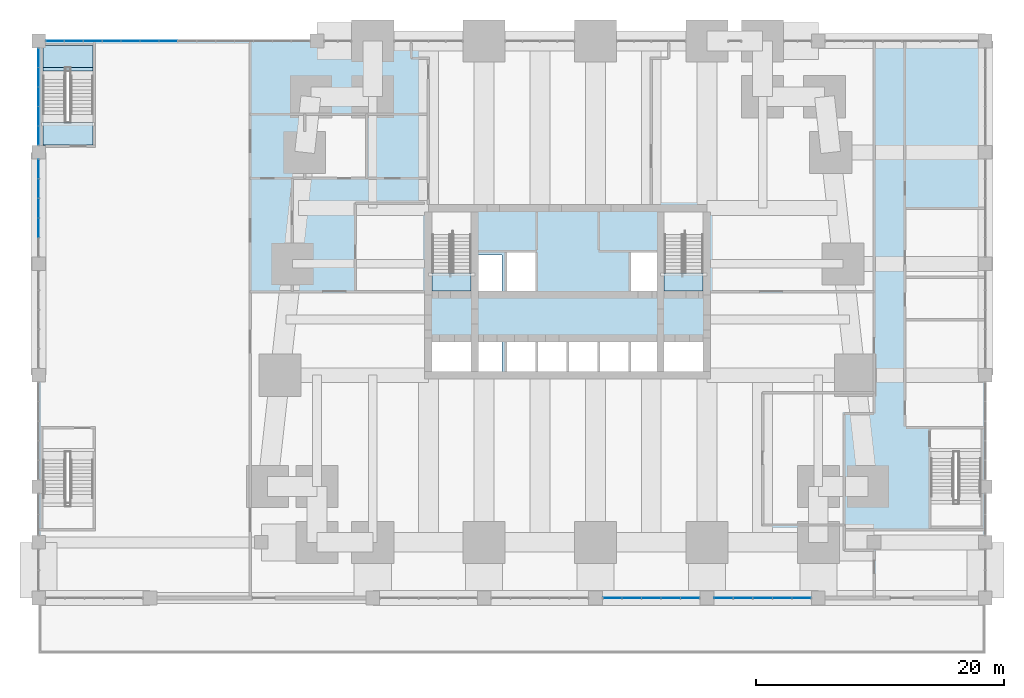
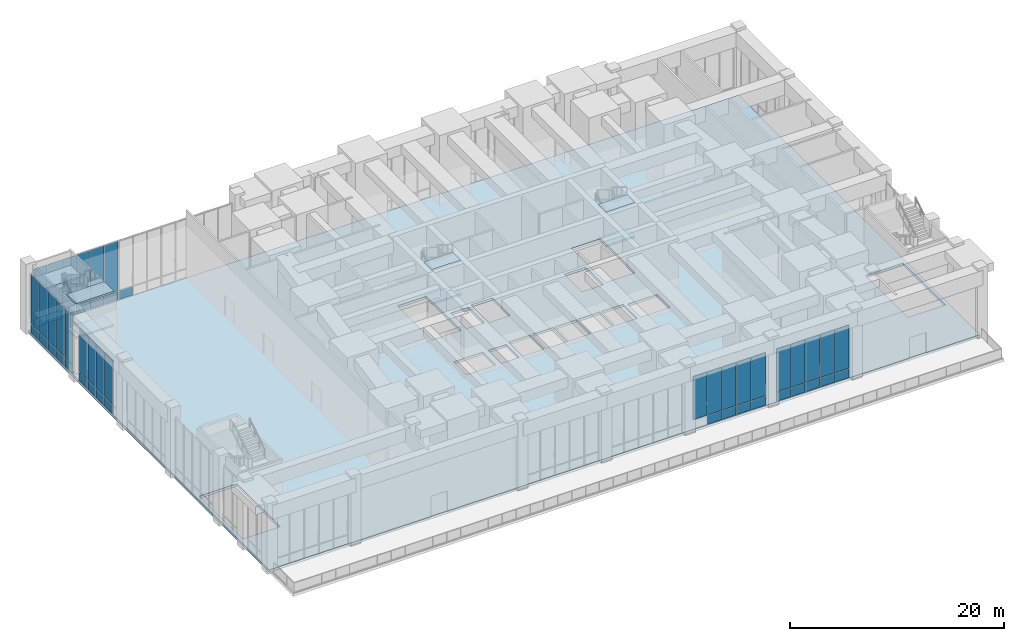
# One storey, part 15 of 26: 50 plates, 9 slabs, 8 elements without a shape of their own.
"""IFC4 building model written with IfcOpenShell, lengths in metres."""

import ifcopenshell
import ifcopenshell.guid

model = None  # the IFC model being written
_history = None  # IfcOwnerHistory: only IFC2X3 demands one
_inside = {}  # id of a spatial element -> (the spatial element, [elements in it])
_under = {}  # id of a project, library or spatial element -> (it, [spatial elements below it])
_declared = {}  # id of a project -> (the project, [libraries it declares])
_typed = {}  # id of a type object -> (the type object, [elements of that type])
_made_of = {}  # id of a material, layer set ... -> (it, [elements and type objects made of it])


def new_model(schema):
    """Start an empty IFC model of exactly this schema.

    Asked for "IFC4X3", IfcOpenShell would pick the latest addendum, in which some entities
    have other attributes; the version numbers below select the first issue.
    IFC2X3 requires an IfcOwnerHistory on every rooted entity: one is made here for all.
    """
    global model, _history
    if schema == "IFC4X3":
        model = ifcopenshell.file(schema_version=(4, 3, 0, 0))
    else:
        model = ifcopenshell.file(schema=schema)
    _inside.clear()
    _under.clear()
    _declared.clear()
    _typed.clear()
    _made_of.clear()
    _history = None
    if model.schema == "IFC2X3":
        org = make("IfcOrganization", Name="unknown")
        user = make(
            "IfcPersonAndOrganization",
            ThePerson=make("IfcPerson", FamilyName="unknown"),
            TheOrganization=org,
        )
        app = make(
            "IfcApplication",
            ApplicationDeveloper=org,
            Version="unknown",
            ApplicationFullName="unknown",
            ApplicationIdentifier="unknown",
        )
        _history = make(
            "IfcOwnerHistory",
            OwningUser=user,
            OwningApplication=app,
            ChangeAction="ADDED",
            CreationDate=0,
        )
    return model


def make(cls, **values):
    """One entity of the class cls with the attributes given. An attribute that is None is left unset."""
    return model.create_entity(
        cls, **{name: value for name, value in values.items() if value is not None}
    )


def rooted(cls, **values):
    """An entity with a GlobalId (a new one), such as an element, a storey or a relation."""
    return make(cls, GlobalId=ifcopenshell.guid.new(), OwnerHistory=_history, **values)


def si_unit(unit_type, name, prefix=None):
    """IfcSIUnit, for example si_unit("LENGTHUNIT", "METRE", prefix="MILLI")."""
    return make("IfcSIUnit", UnitType=unit_type, Prefix=prefix, Name=name)


def assignment(units):
    """IfcUnitAssignment: the units of a project."""
    return None if units is None else make("IfcUnitAssignment", Units=units)


def point(xyz):
    """IfcCartesianPoint."""
    return None if xyz is None else make("IfcCartesianPoint", Coordinates=xyz)


def direction(xyz):
    """IfcDirection."""
    return None if xyz is None else make("IfcDirection", DirectionRatios=xyz)


def frame(location, z_axis=None, x_axis=None):
    """IfcAxis2Placement3D, a coordinate frame: its origin and axes. An axis left out is left unset."""
    return make(
        "IfcAxis2Placement3D",
        Location=point(location),
        Axis=direction(z_axis),
        RefDirection=direction(x_axis),
    )


def frame_2d(location, x_axis=None):
    """IfcAxis2Placement2D, a coordinate frame in the plane: its origin and x axis."""
    return make(
        "IfcAxis2Placement2D", Location=point(location), RefDirection=direction(x_axis)
    )


def origin():
    """The frame at (0, 0, 0) with its axes left unset."""
    return frame((0.0, 0.0, 0.0))


def origin_2d():
    """The frame at (0, 0) in the plane with its x axis left unset."""
    return frame_2d((0.0, 0.0))


def place(relative_to, where):
    """IfcLocalPlacement: puts the frame where relative to a parent placement (None: the world)."""
    return make(
        "IfcLocalPlacement", PlacementRelTo=relative_to, RelativePlacement=where
    )


def context(
    kind, dimensions, precision=None, world=None, true_north=None, identifier=None
):
    """IfcGeometricRepresentationContext, for example the 3D "Model" context."""
    return make(
        "IfcGeometricRepresentationContext",
        ContextIdentifier=identifier,
        ContextType=kind,
        CoordinateSpaceDimension=dimensions,
        Precision=precision,
        WorldCoordinateSystem=world,
        TrueNorth=true_north,
    )


def subcontext(parent, identifier, kind, view, scale=None):
    """IfcGeometricRepresentationSubContext, for example "Body" below "Model"."""
    return make(
        "IfcGeometricRepresentationSubContext",
        ContextIdentifier=identifier,
        ContextType=kind,
        ParentContext=parent,
        TargetScale=scale,
        TargetView=view,
    )


def project(units=None, contexts=None):
    """IfcProject with its units and contexts."""
    return rooted(
        "IfcProject",
        Name="project",
        RepresentationContexts=contexts,
        UnitsInContext=assignment(units),
    )


def spatial(cls, under=None, at=None, **own):
    """A site, building, storey or space (cls), placed at a placement, below another one or the project."""
    s = rooted(cls, ObjectPlacement=at, **own)
    if under is not None:
        _under.setdefault(under.id(), (under, []))[1].append(s)
    return s


def polyline(points):
    """IfcPolyline through the points."""
    return make("IfcPolyline", Points=[point(p) for p in points])


def profile(cls, at=None, kind="AREA", **sizes):
    """A parametric profile (cls). Its sizes go by their IFC names, for example OverallWidth=200.0."""
    return make(cls, ProfileType=kind, Position=at, **sizes)


def rectangle(**sizes):
    """IfcRectangleProfileDef."""
    return profile("IfcRectangleProfileDef", **sizes)


def outline(outer, holes=None, kind="AREA"):
    """IfcArbitraryClosedProfileDef: a profile drawn as a closed curve; with holes, ...WithVoids."""
    if holes is None:
        return make("IfcArbitraryClosedProfileDef", ProfileType=kind, OuterCurve=outer)
    return make(
        "IfcArbitraryProfileDefWithVoids",
        ProfileType=kind,
        OuterCurve=outer,
        InnerCurves=holes,
    )


def extrude(swept, where, along, depth):
    """IfcExtrudedAreaSolid: the profile swept, set in the frame where, extruded along a direction by depth."""
    return make(
        "IfcExtrudedAreaSolid",
        SweptArea=swept,
        Position=where,
        ExtrudedDirection=direction(along),
        Depth=depth,
    )


def shape(context_of_items, identifier, shape_type, items):
    """IfcShapeRepresentation: the items that make up one representation, for example the "Body"."""
    return make(
        "IfcShapeRepresentation",
        ContextOfItems=context_of_items,
        RepresentationIdentifier=identifier,
        RepresentationType=shape_type,
        Items=items,
    )


def material(Name=None, Category=None):
    """IfcMaterial."""
    return make("IfcMaterial", Name=Name, Category=Category)


def layer(
    of_material, thickness, ventilated=None, Name=None, Category=None, Priority=None
):
    """IfcMaterialLayer: one layer of a wall or slab, of a material (None: an air gap)."""
    return make(
        "IfcMaterialLayer",
        Material=of_material,
        LayerThickness=thickness,
        IsVentilated=ventilated,
        Name=Name,
        Category=Category,
        Priority=Priority,
    )


def layer_set(layers, Name=None):
    """IfcMaterialLayerSet."""
    return make("IfcMaterialLayerSet", MaterialLayers=layers, LayerSetName=Name)


def made_of(thing, what):
    """Note that an element or type object is made of a material, layer set ...; save() writes the relation."""
    if what is not None:
        _made_of.setdefault(what.id(), (what, []))[1].append(thing)
    return thing


def type_object(cls, material=None, **own):
    """A type object (cls), such as IfcWallType, which elements share."""
    return made_of(rooted(cls, **own), material)


def element(
    cls,
    number,
    at=None,
    inside=None,
    cuts=None,
    type_object=None,
    material=None,
    context=None,
    identifier="Body",
    shape_type=None,
    held_by="IfcProductDefinitionShape",
    body=None,
    shapes=None,
    **own,
):
    """One element of the class cls, such as IfcWall. Its Tag is "e" and its number.

    at: its placement. inside: the storey or other place that contains it. cuts: it is an
    opening in that element (IfcRelVoidsElement). A single representation is given by context,
    identifier, shape_type and body (its items); several are given by shapes. held_by: the class
    of the entity that holds the representations. save() writes the other relations.
    """
    e = rooted(cls, Tag="e%d" % number, ObjectPlacement=at, **own)
    if body is not None:
        shapes = [shape(context, identifier, shape_type, body)]
    if shapes is not None:
        e.Representation = make(held_by, Representations=shapes)
    if inside is not None:
        _inside.setdefault(inside.id(), (inside, []))[1].append(e)
    if cuts is not None:
        rooted(
            "IfcRelVoidsElement", RelatingBuildingElement=cuts, RelatedOpeningElement=e
        )
    if type_object is not None:
        _typed.setdefault(type_object.id(), (type_object, []))[1].append(e)
    return made_of(e, material)


def aggregate(whole, parts):
    """IfcRelAggregates: a whole, such as a stair, and the parts it consists of."""
    return rooted("IfcRelAggregates", RelatingObject=whole, RelatedObjects=parts)


def save(model, path):
    """Write the relations noted so far, then the file.

    IfcRelAggregates (storeys below a building ...), IfcRelContainedInSpatialStructure (elements
    in a storey), IfcRelDefinesByType, IfcRelAssociatesMaterial and IfcRelDeclares: one each for
    every whole, place, type object, material and project.
    """
    for whole, parts in _under.values():
        aggregate(whole, parts)
    for where, things in _inside.values():
        rooted(
            "IfcRelContainedInSpatialStructure",
            RelatedElements=things,
            RelatingStructure=where,
        )
    for kind, things in _typed.values():
        rooted("IfcRelDefinesByType", RelatedObjects=things, RelatingType=kind)
    for what, things in _made_of.values():
        rooted("IfcRelAssociatesMaterial", RelatedObjects=things, RelatingMaterial=what)
    for by, libraries in _declared.values():
        rooted("IfcRelDeclares", RelatingContext=by, RelatedDefinitions=libraries)
    model.write(path)


model = new_model("IFC4")

# Units and contexts
model_context = context("Model", 3, precision=1e-05, world=origin(), true_north=direction((0.0, 1.0)))
body_context = subcontext(model_context, "Body", "Model", "MODEL_VIEW")
ifc_project = project(units=[si_unit("LENGTHUNIT", "METRE"), si_unit("AREAUNIT", "SQUARE_METRE"), si_unit("VOLUMEUNIT", "CUBIC_METRE"), si_unit("PLANEANGLEUNIT", "RADIAN"), si_unit("MASSUNIT", "GRAM", prefix="KILO")], contexts=[model_context])

# Site, building, storey
site_placement = place(None, origin())
site = spatial("IfcSite", under=ifc_project, at=site_placement, CompositionType="ELEMENT")
building_placement = place(site_placement, origin())
building = spatial("IfcBuilding", under=site, at=building_placement, Name="Kilele Tower Hotel", CompositionType="ELEMENT")
storey_placement = place(building_placement, frame((0.0, 0.0, 11.0)))
storey = spatial("IfcBuildingStorey", under=building, at=storey_placement, Name="L02", CompositionType="ELEMENT", Elevation=11.0)

# Slab
ifc_material_1 = material(Name="Concrete C60/75", Category="concrete")
ifc_layer_1 = layer(ifc_material_1, 0.300048828125)
ifc_layer_set_1 = layer_set([ifc_layer_1], Name="Concrete C60/75")
slab_type_1 = type_object("IfcSlabType", Name="Floor slab 300", PredefinedType="FLOOR", material=ifc_layer_set_1)
slab_1_placement = place(storey_placement, frame((0.0, 0.0, -0.300048828125)))
element("IfcSlab", 1, at=slab_1_placement, inside=storey, type_object=slab_type_1, Name="Floor slab L02", PredefinedType="FLOOR", context=body_context, shape_type="SweptSolid", body=[
    extrude(outline(polyline([(-18.0, -4.5), (-18.0, 40.5), (58.5, 40.5), (58.5, -4.5), (-18.0, -4.5)]), holes=[polyline([(-13.60009765625, 1.10009765625), (-13.60009765625, 9.14990234375), (-17.64990234375, 9.14990234375), (-17.64990234375, 1.10009765625), (-13.60009765625, 1.10009765625)]), polyline([(16.949951171875, 13.800048828125), (16.949951171875, 16.199951171875), (13.800048828125, 16.199951171875), (13.800048828125, 13.800048828125), (16.949951171875, 13.800048828125)]), polyline([(19.449951171875, 13.800048828125), (19.449951171875, 16.199951171875), (17.550048828125, 16.199951171875), (17.550048828125, 13.800048828125), (19.449951171875, 13.800048828125)]), polyline([(22.14990234375, 13.800048828125), (22.14990234375, 16.39990234375), (19.85009765625, 16.39990234375), (19.85009765625, 13.800048828125), (22.14990234375, 13.800048828125)]), polyline([(19.449951171875, 20.300048828125), (19.449951171875, 23.199951171875), (17.550048828125, 23.199951171875), (17.550048828125, 20.300048828125), (19.449951171875, 20.300048828125)]), polyline([(22.14990234375, 20.10009765625), (22.14990234375, 23.39990234375), (19.85009765625, 23.39990234375), (19.85009765625, 20.10009765625), (22.14990234375, 20.10009765625)]), polyline([(16.949951171875, 20.300048828125), (16.949951171875, 26.699951171875), (13.800048828125, 26.699951171875), (13.800048828125, 20.300048828125), (16.949951171875, 20.300048828125)]), polyline([(-13.60009765625, 32.10009765625), (-13.60009765625, 40.14990234375), (-17.64990234375, 40.14990234375), (-17.64990234375, 32.10009765625), (-13.60009765625, 32.10009765625)]), polyline([(58.14990234375, 1.300048828125), (58.14990234375, 9.14990234375), (54.10009765625, 9.14990234375), (54.10009765625, 1.300048828125), (58.14990234375, 1.300048828125)]), polyline([(35.699951171875, 13.800048828125), (35.699951171875, 16.199951171875), (32.550048828125, 16.199951171875), (32.550048828125, 13.800048828125), (35.699951171875, 13.800048828125)]), polyline([(24.64990234375, 13.800048828125), (24.64990234375, 16.39990234375), (22.35009765625, 16.39990234375), (22.35009765625, 13.800048828125), (24.64990234375, 13.800048828125)]), polyline([(27.14990234375, 13.800048828125), (27.14990234375, 16.39990234375), (24.85009765625, 16.39990234375), (24.85009765625, 13.800048828125), (27.14990234375, 13.800048828125)]), polyline([(29.64990234375, 13.800048828125), (29.64990234375, 16.39990234375), (27.35009765625, 16.39990234375), (27.35009765625, 13.800048828125), (29.64990234375, 13.800048828125)]), polyline([(32.14990234375, 13.800048828125), (32.14990234375, 16.39990234375), (29.85009765625, 16.39990234375), (29.85009765625, 13.800048828125), (32.14990234375, 13.800048828125)]), polyline([(32.14990234375, 20.10009765625), (32.14990234375, 23.39990234375), (29.85009765625, 23.39990234375), (29.85009765625, 20.10009765625), (32.14990234375, 20.10009765625)]), polyline([(35.699951171875, 20.300048828125), (35.699951171875, 26.699951171875), (32.550048828125, 26.699951171875), (32.550048828125, 20.300048828125), (35.699951171875, 20.300048828125)])]), origin(), (0.0, 0.0, 1.0), 0.300048828125),
])

# Curtain wall, plates
ifc_material_2 = material(Name="Aluminium curtain wall, clear double glazing", Category="aluminium")
curtain_wall_type_1 = type_object("IfcCurtainWallType", Name="Podium curtain wall CW-1", PredefinedType="NOTDEFINED", material=ifc_material_2)
curtain_wall_1_placement = place(storey_placement, origin())
curtain_wall_1 = element("IfcCurtainWall", 2, at=curtain_wall_1_placement, inside=storey, type_object=curtain_wall_type_1, Name="Podium curtain wall CW-1 L02", PredefinedType="NOTDEFINED")
ifc_material_3 = material(Name="Clear double glazing", Category="glass")
ifc_layer_2 = layer(ifc_material_3, 0.028076171875)
ifc_layer_set_2 = layer_set([ifc_layer_2], Name="Clear double glazing")
plate_type_1 = type_object("IfcPlateType", Name="Glazed panel 28 CW-1", PredefinedType="CURTAIN_PANEL", material=ifc_layer_set_2)
plate_1_placement = place(storey_placement, frame((28.35498046875, -4.5, 1.1298828125), z_axis=(0.0, 0.0, 1.0), x_axis=(1.0, 0.0, 0.0)))
plate_1 = element("IfcPlate", 3, at=plate_1_placement, type_object=plate_type_1, Name="CW-1 panel 1.2", PredefinedType="CURTAIN_PANEL", context=body_context, shape_type="SweptSolid", body=[
    extrude(rectangle(XDim=1.489990234375, YDim=0.028076171875, at=origin_2d()), origin(), (0.0, 0.0, 1.0), 4.909912109375),
])
plate_2_placement = place(storey_placement, frame((29.919921875, -4.5, 0.06005859375), z_axis=(0.0, 0.0, 1.0), x_axis=(1.0, 0.0, 0.0)))
plate_2 = element("IfcPlate", 4, at=plate_2_placement, type_object=plate_type_1, Name="CW-1 panel 2.1", PredefinedType="CURTAIN_PANEL", context=body_context, shape_type="SweptSolid", body=[
    extrude(rectangle(XDim=1.52001953125, YDim=0.028076171875, at=origin_2d()), origin(), (0.0, 0.0, 1.0), 1.010009765625),
])
plate_3_placement = place(storey_placement, frame((29.919921875, -4.5, 1.1298828125), z_axis=(0.0, 0.0, 1.0), x_axis=(1.0, 0.0, 0.0)))
plate_3 = element("IfcPlate", 5, at=plate_3_placement, type_object=plate_type_1, Name="CW-1 panel 2.2", PredefinedType="CURTAIN_PANEL", context=body_context, shape_type="SweptSolid", body=[
    extrude(rectangle(XDim=1.52001953125, YDim=0.028076171875, at=origin_2d()), origin(), (0.0, 0.0, 1.0), 4.909912109375),
])
plate_4_placement = place(storey_placement, frame((31.5, -4.5, 0.06005859375), z_axis=(0.0, 0.0, 1.0), x_axis=(1.0, 0.0, 0.0)))
plate_4 = element("IfcPlate", 6, at=plate_4_placement, type_object=plate_type_1, Name="CW-1 panel 3.1", PredefinedType="CURTAIN_PANEL", context=body_context, shape_type="SweptSolid", body=[
    extrude(rectangle(XDim=1.52001953125, YDim=0.028076171875, at=origin_2d()), origin(), (0.0, 0.0, 1.0), 1.010009765625),
])
plate_5_placement = place(storey_placement, frame((31.5, -4.5, 1.1298828125), z_axis=(0.0, 0.0, 1.0), x_axis=(1.0, 0.0, 0.0)))
plate_5 = element("IfcPlate", 7, at=plate_5_placement, type_object=plate_type_1, Name="CW-1 panel 3.2", PredefinedType="CURTAIN_PANEL", context=body_context, shape_type="SweptSolid", body=[
    extrude(rectangle(XDim=1.52001953125, YDim=0.028076171875, at=origin_2d()), origin(), (0.0, 0.0, 1.0), 4.909912109375),
])
plate_6_placement = place(storey_placement, frame((33.080078125, -4.5, 0.06005859375), z_axis=(0.0, 0.0, 1.0), x_axis=(1.0, 0.0, 0.0)))
plate_6 = element("IfcPlate", 8, at=plate_6_placement, type_object=plate_type_1, Name="CW-1 panel 4.1", PredefinedType="CURTAIN_PANEL", context=body_context, shape_type="SweptSolid", body=[
    extrude(rectangle(XDim=1.52001953125, YDim=0.028076171875, at=origin_2d()), origin(), (0.0, 0.0, 1.0), 1.010009765625),
])
plate_7_placement = place(storey_placement, frame((33.080078125, -4.5, 1.1298828125), z_axis=(0.0, 0.0, 1.0), x_axis=(1.0, 0.0, 0.0)))
plate_7 = element("IfcPlate", 9, at=plate_7_placement, type_object=plate_type_1, Name="CW-1 panel 4.2", PredefinedType="CURTAIN_PANEL", context=body_context, shape_type="SweptSolid", body=[
    extrude(rectangle(XDim=1.52001953125, YDim=0.028076171875, at=origin_2d()), origin(), (0.0, 0.0, 1.0), 4.909912109375),
])
plate_8_placement = place(storey_placement, frame((34.64501953125, -4.5, 0.06005859375), z_axis=(0.0, 0.0, 1.0), x_axis=(1.0, 0.0, 0.0)))
plate_8 = element("IfcPlate", 10, at=plate_8_placement, type_object=plate_type_1, Name="CW-1 panel 5.1", PredefinedType="CURTAIN_PANEL", context=body_context, shape_type="SweptSolid", body=[
    extrude(rectangle(XDim=1.489990234375, YDim=0.028076171875, at=origin_2d()), origin(), (0.0, 0.0, 1.0), 1.010009765625),
])
plate_9_placement = place(storey_placement, frame((34.64501953125, -4.5, 1.1298828125), z_axis=(0.0, 0.0, 1.0), x_axis=(1.0, 0.0, 0.0)))
plate_9 = element("IfcPlate", 11, at=plate_9_placement, type_object=plate_type_1, Name="CW-1 panel 5.2", PredefinedType="CURTAIN_PANEL", context=body_context, shape_type="SweptSolid", body=[
    extrude(rectangle(XDim=1.489990234375, YDim=0.028076171875, at=origin_2d()), origin(), (0.0, 0.0, 1.0), 4.909912109375),
])
aggregate(curtain_wall_1, [plate_1, plate_2, plate_3, plate_4, plate_5, plate_6, plate_7, plate_8, plate_9])

curtain_wall_2_placement = place(storey_placement, origin())
curtain_wall_2 = element("IfcCurtainWall", 12, at=curtain_wall_2_placement, inside=storey, type_object=curtain_wall_type_1, Name="Podium curtain wall CW-1 L02", PredefinedType="NOTDEFINED")
plate_10_placement = place(storey_placement, frame((37.35498046875, -4.5, 0.06005859375), z_axis=(0.0, 0.0, 1.0), x_axis=(1.0, 0.0, 0.0)))
plate_10 = element("IfcPlate", 13, at=plate_10_placement, type_object=plate_type_1, Name="CW-1 panel 1.1", PredefinedType="CURTAIN_PANEL", context=body_context, shape_type="SweptSolid", body=[
    extrude(rectangle(XDim=1.489990234375, YDim=0.028076171875, at=origin_2d()), origin(), (0.0, 0.0, 1.0), 1.010009765625),
])
plate_11_placement = place(storey_placement, frame((37.35498046875, -4.5, 1.1298828125), z_axis=(0.0, 0.0, 1.0), x_axis=(1.0, 0.0, 0.0)))
plate_11 = element("IfcPlate", 14, at=plate_11_placement, type_object=plate_type_1, Name="CW-1 panel 1.2", PredefinedType="CURTAIN_PANEL", context=body_context, shape_type="SweptSolid", body=[
    extrude(rectangle(XDim=1.489990234375, YDim=0.028076171875, at=origin_2d()), origin(), (0.0, 0.0, 1.0), 4.909912109375),
])
plate_12_placement = place(storey_placement, frame((38.919921875, -4.5, 0.06005859375), z_axis=(0.0, 0.0, 1.0), x_axis=(1.0, 0.0, 0.0)))
plate_12 = element("IfcPlate", 15, at=plate_12_placement, type_object=plate_type_1, Name="CW-1 panel 2.1", PredefinedType="CURTAIN_PANEL", context=body_context, shape_type="SweptSolid", body=[
    extrude(rectangle(XDim=1.52001953125, YDim=0.028076171875, at=origin_2d()), origin(), (0.0, 0.0, 1.0), 1.010009765625),
])
plate_13_placement = place(storey_placement, frame((38.919921875, -4.5, 1.1298828125), z_axis=(0.0, 0.0, 1.0), x_axis=(1.0, 0.0, 0.0)))
plate_13 = element("IfcPlate", 16, at=plate_13_placement, type_object=plate_type_1, Name="CW-1 panel 2.2", PredefinedType="CURTAIN_PANEL", context=body_context, shape_type="SweptSolid", body=[
    extrude(rectangle(XDim=1.52001953125, YDim=0.028076171875, at=origin_2d()), origin(), (0.0, 0.0, 1.0), 4.909912109375),
])
plate_14_placement = place(storey_placement, frame((40.5, -4.5, 0.06005859375), z_axis=(0.0, 0.0, 1.0), x_axis=(1.0, 0.0, 0.0)))
plate_14 = element("IfcPlate", 17, at=plate_14_placement, type_object=plate_type_1, Name="CW-1 panel 3.1", PredefinedType="CURTAIN_PANEL", context=body_context, shape_type="SweptSolid", body=[
    extrude(rectangle(XDim=1.52001953125, YDim=0.028076171875, at=origin_2d()), origin(), (0.0, 0.0, 1.0), 1.010009765625),
])
plate_15_placement = place(storey_placement, frame((40.5, -4.5, 1.1298828125), z_axis=(0.0, 0.0, 1.0), x_axis=(1.0, 0.0, 0.0)))
plate_15 = element("IfcPlate", 18, at=plate_15_placement, type_object=plate_type_1, Name="CW-1 panel 3.2", PredefinedType="CURTAIN_PANEL", context=body_context, shape_type="SweptSolid", body=[
    extrude(rectangle(XDim=1.52001953125, YDim=0.028076171875, at=origin_2d()), origin(), (0.0, 0.0, 1.0), 4.909912109375),
])
plate_16_placement = place(storey_placement, frame((42.080078125, -4.5, 0.06005859375), z_axis=(0.0, 0.0, 1.0), x_axis=(1.0, 0.0, 0.0)))
plate_16 = element("IfcPlate", 19, at=plate_16_placement, type_object=plate_type_1, Name="CW-1 panel 4.1", PredefinedType="CURTAIN_PANEL", context=body_context, shape_type="SweptSolid", body=[
    extrude(rectangle(XDim=1.52001953125, YDim=0.028076171875, at=origin_2d()), origin(), (0.0, 0.0, 1.0), 1.010009765625),
])
plate_17_placement = place(storey_placement, frame((42.080078125, -4.5, 1.1298828125), z_axis=(0.0, 0.0, 1.0), x_axis=(1.0, 0.0, 0.0)))
plate_17 = element("IfcPlate", 20, at=plate_17_placement, type_object=plate_type_1, Name="CW-1 panel 4.2", PredefinedType="CURTAIN_PANEL", context=body_context, shape_type="SweptSolid", body=[
    extrude(rectangle(XDim=1.52001953125, YDim=0.028076171875, at=origin_2d()), origin(), (0.0, 0.0, 1.0), 4.909912109375),
])
plate_18_placement = place(storey_placement, frame((43.64501953125, -4.5, 0.06005859375), z_axis=(0.0, 0.0, 1.0), x_axis=(1.0, 0.0, 0.0)))
plate_18 = element("IfcPlate", 21, at=plate_18_placement, type_object=plate_type_1, Name="CW-1 panel 5.1", PredefinedType="CURTAIN_PANEL", context=body_context, shape_type="SweptSolid", body=[
    extrude(rectangle(XDim=1.489990234375, YDim=0.028076171875, at=origin_2d()), origin(), (0.0, 0.0, 1.0), 1.010009765625),
])
plate_19_placement = place(storey_placement, frame((43.64501953125, -4.5, 1.1298828125), z_axis=(0.0, 0.0, 1.0), x_axis=(1.0, 0.0, 0.0)))
plate_19 = element("IfcPlate", 22, at=plate_19_placement, type_object=plate_type_1, Name="CW-1 panel 5.2", PredefinedType="CURTAIN_PANEL", context=body_context, shape_type="SweptSolid", body=[
    extrude(rectangle(XDim=1.489990234375, YDim=0.028076171875, at=origin_2d()), origin(), (0.0, 0.0, 1.0), 4.909912109375),
])
aggregate(curtain_wall_2, [plate_10, plate_11, plate_12, plate_13, plate_14, plate_15, plate_16, plate_17, plate_18, plate_19])

curtain_wall_3_placement = place(storey_placement, origin())
curtain_wall_3 = element("IfcCurtainWall", 23, at=curtain_wall_3_placement, inside=storey, type_object=curtain_wall_type_1, Name="Podium curtain wall CW-1 L02", PredefinedType="NOTDEFINED")
plate_20_placement = place(storey_placement, frame((-7.514404296875, 40.5, 0.06005859375), z_axis=(0.0, 0.0, 1.0), x_axis=(-1.0, 0.0, 0.0)))
plate_20 = element("IfcPlate", 24, at=plate_20_placement, type_object=plate_type_1, Name="CW-1 panel 8.1", PredefinedType="CURTAIN_PANEL", context=body_context, shape_type="SweptSolid", body=[
    extrude(rectangle(XDim=1.468505859375, YDim=0.028076171875, at=origin_2d()), origin(), (0.0, 0.0, 1.0), 1.010009765625),
])
plate_21_placement = place(storey_placement, frame((-9.04296875, 40.5, 0.06005859375), z_axis=(0.0, 0.0, 1.0), x_axis=(-1.0, 0.0, 0.0)))
plate_21 = element("IfcPlate", 25, at=plate_21_placement, type_object=plate_type_1, Name="CW-1 panel 9.1", PredefinedType="CURTAIN_PANEL", context=body_context, shape_type="SweptSolid", body=[
    extrude(rectangle(XDim=1.468505859375, YDim=0.028076171875, at=origin_2d()), origin(), (0.0, 0.0, 1.0), 1.010009765625),
])
plate_22_placement = place(storey_placement, frame((-9.04296875, 40.5, 1.1298828125), z_axis=(0.0, 0.0, 1.0), x_axis=(-1.0, 0.0, 0.0)))
plate_22 = element("IfcPlate", 26, at=plate_22_placement, type_object=plate_type_1, Name="CW-1 panel 9.2", PredefinedType="CURTAIN_PANEL", context=body_context, shape_type="SweptSolid", body=[
    extrude(rectangle(XDim=1.468505859375, YDim=0.028076171875, at=origin_2d()), origin(), (0.0, 0.0, 1.0), 5.610107421875),
])
plate_23_placement = place(storey_placement, frame((-10.571533203125, 40.5, 0.06005859375), z_axis=(0.0, 0.0, 1.0), x_axis=(-1.0, 0.0, 0.0)))
plate_23 = element("IfcPlate", 27, at=plate_23_placement, type_object=plate_type_1, Name="CW-1 panel 10.1", PredefinedType="CURTAIN_PANEL", context=body_context, shape_type="SweptSolid", body=[
    extrude(rectangle(XDim=1.468505859375, YDim=0.028076171875, at=origin_2d()), origin(), (0.0, 0.0, 1.0), 1.010009765625),
])
plate_24_placement = place(storey_placement, frame((-10.571533203125, 40.5, 1.1298828125), z_axis=(0.0, 0.0, 1.0), x_axis=(-1.0, 0.0, 0.0)))
plate_24 = element("IfcPlate", 28, at=plate_24_placement, type_object=plate_type_1, Name="CW-1 panel 10.2", PredefinedType="CURTAIN_PANEL", context=body_context, shape_type="SweptSolid", body=[
    extrude(rectangle(XDim=1.468505859375, YDim=0.028076171875, at=origin_2d()), origin(), (0.0, 0.0, 1.0), 5.610107421875),
])
plate_25_placement = place(storey_placement, frame((-12.10009765625, 40.5, 0.06005859375), z_axis=(0.0, 0.0, 1.0), x_axis=(-1.0, 0.0, 0.0)))
plate_25 = element("IfcPlate", 29, at=plate_25_placement, type_object=plate_type_1, Name="CW-1 panel 11.1", PredefinedType="CURTAIN_PANEL", context=body_context, shape_type="SweptSolid", body=[
    extrude(rectangle(XDim=1.468505859375, YDim=0.028076171875, at=origin_2d()), origin(), (0.0, 0.0, 1.0), 1.010009765625),
])
plate_26_placement = place(storey_placement, frame((-12.10009765625, 40.5, 1.1298828125), z_axis=(0.0, 0.0, 1.0), x_axis=(-1.0, 0.0, 0.0)))
plate_26 = element("IfcPlate", 30, at=plate_26_placement, type_object=plate_type_1, Name="CW-1 panel 11.2", PredefinedType="CURTAIN_PANEL", context=body_context, shape_type="SweptSolid", body=[
    extrude(rectangle(XDim=1.468505859375, YDim=0.028076171875, at=origin_2d()), origin(), (0.0, 0.0, 1.0), 5.610107421875),
])
plate_27_placement = place(storey_placement, frame((-13.628662109375, 40.5, 0.06005859375), z_axis=(0.0, 0.0, 1.0), x_axis=(-1.0, 0.0, 0.0)))
plate_27 = element("IfcPlate", 31, at=plate_27_placement, type_object=plate_type_1, Name="CW-1 panel 12.1", PredefinedType="CURTAIN_PANEL", context=body_context, shape_type="SweptSolid", body=[
    extrude(rectangle(XDim=1.468505859375, YDim=0.028076171875, at=origin_2d()), origin(), (0.0, 0.0, 1.0), 1.010009765625),
])
plate_28_placement = place(storey_placement, frame((-13.628662109375, 40.5, 1.1298828125), z_axis=(0.0, 0.0, 1.0), x_axis=(-1.0, 0.0, 0.0)))
plate_28 = element("IfcPlate", 32, at=plate_28_placement, type_object=plate_type_1, Name="CW-1 panel 12.2", PredefinedType="CURTAIN_PANEL", context=body_context, shape_type="SweptSolid", body=[
    extrude(rectangle(XDim=1.468505859375, YDim=0.028076171875, at=origin_2d()), origin(), (0.0, 0.0, 1.0), 5.610107421875),
])
plate_29_placement = place(storey_placement, frame((-15.1572265625, 40.5, 0.06005859375), z_axis=(0.0, 0.0, 1.0), x_axis=(-1.0, 0.0, 0.0)))
plate_29 = element("IfcPlate", 33, at=plate_29_placement, type_object=plate_type_1, Name="CW-1 panel 13.1", PredefinedType="CURTAIN_PANEL", context=body_context, shape_type="SweptSolid", body=[
    extrude(rectangle(XDim=1.468505859375, YDim=0.028076171875, at=origin_2d()), origin(), (0.0, 0.0, 1.0), 1.010009765625),
])
plate_30_placement = place(storey_placement, frame((-15.1572265625, 40.5, 1.1298828125), z_axis=(0.0, 0.0, 1.0), x_axis=(-1.0, 0.0, 0.0)))
plate_30 = element("IfcPlate", 34, at=plate_30_placement, type_object=plate_type_1, Name="CW-1 panel 13.2", PredefinedType="CURTAIN_PANEL", context=body_context, shape_type="SweptSolid", body=[
    extrude(rectangle(XDim=1.468505859375, YDim=0.028076171875, at=origin_2d()), origin(), (0.0, 0.0, 1.0), 5.610107421875),
])
plate_31_placement = place(storey_placement, frame((-16.670654296875, 40.5, 0.06005859375), z_axis=(0.0, 0.0, 1.0), x_axis=(-1.0, 0.0, 0.0)))
plate_31 = element("IfcPlate", 35, at=plate_31_placement, type_object=plate_type_1, Name="CW-1 panel 14.1", PredefinedType="CURTAIN_PANEL", context=body_context, shape_type="SweptSolid", body=[
    extrude(rectangle(XDim=1.4384765625, YDim=0.028076171875, at=origin_2d()), origin(), (0.0, 0.0, 1.0), 1.010009765625),
])
plate_32_placement = place(storey_placement, frame((-16.670654296875, 40.5, 1.1298828125), z_axis=(0.0, 0.0, 1.0), x_axis=(-1.0, 0.0, 0.0)))
plate_32 = element("IfcPlate", 36, at=plate_32_placement, type_object=plate_type_1, Name="CW-1 panel 14.2", PredefinedType="CURTAIN_PANEL", context=body_context, shape_type="SweptSolid", body=[
    extrude(rectangle(XDim=1.4384765625, YDim=0.028076171875, at=origin_2d()), origin(), (0.0, 0.0, 1.0), 5.610107421875),
])
aggregate(curtain_wall_3, [plate_20, plate_21, plate_22, plate_23, plate_24, plate_25, plate_26, plate_27, plate_28, plate_29, plate_30, plate_31, plate_32])

ifc_material_4 = material(Name="Aluminium curtain wall, clear double glazing", Category="aluminium")
curtain_wall_type_2 = type_object("IfcCurtainWallType", Name="Podium side curtain wall CW-2", PredefinedType="NOTDEFINED", material=ifc_material_4)
curtain_wall_4_placement = place(storey_placement, origin())
curtain_wall_4 = element("IfcCurtainWall", 37, at=curtain_wall_4_placement, inside=storey, type_object=curtain_wall_type_2, Name="Podium side curtain wall CW-2 L02", PredefinedType="NOTDEFINED")
ifc_material_5 = material(Name="Clear double glazing", Category="glass")
ifc_layer_3 = layer(ifc_material_5, 0.028076171875)
ifc_layer_set_3 = layer_set([ifc_layer_3], Name="Clear double glazing")
plate_type_2 = type_object("IfcPlateType", Name="Glazed panel 28 CW-2", PredefinedType="CURTAIN_PANEL", material=ifc_layer_set_3)
plate_33_placement = place(storey_placement, frame((-18.0, 39.14501953125, 0.06005859375), z_axis=(0.0, 0.0, 1.0), x_axis=(0.0, -1.0, 0.0)))
plate_33 = element("IfcPlate", 38, at=plate_33_placement, type_object=plate_type_2, Name="CW-2 panel 1.1", PredefinedType="CURTAIN_PANEL", context=body_context, shape_type="SweptSolid", body=[
    extrude(rectangle(XDim=1.489990234375, YDim=0.028076171875, at=origin_2d()), origin(), (0.0, 0.0, 1.0), 1.010009765625),
])
plate_34_placement = place(storey_placement, frame((-18.0, 39.14501953125, 1.1298828125), z_axis=(0.0, 0.0, 1.0), x_axis=(0.0, -1.0, 0.0)))
plate_34 = element("IfcPlate", 39, at=plate_34_placement, type_object=plate_type_2, Name="CW-2 panel 1.2", PredefinedType="CURTAIN_PANEL", context=body_context, shape_type="SweptSolid", body=[
    extrude(rectangle(XDim=1.489990234375, YDim=0.028076171875, at=origin_2d()), origin(), (0.0, 0.0, 1.0), 5.610107421875),
])
plate_35_placement = place(storey_placement, frame((-18.0, 37.580078125, 0.06005859375), z_axis=(0.0, 0.0, 1.0), x_axis=(0.0, -1.0, 0.0)))
plate_35 = element("IfcPlate", 40, at=plate_35_placement, type_object=plate_type_2, Name="CW-2 panel 2.1", PredefinedType="CURTAIN_PANEL", context=body_context, shape_type="SweptSolid", body=[
    extrude(rectangle(XDim=1.52001953125, YDim=0.028076171875, at=origin_2d()), origin(), (0.0, 0.0, 1.0), 1.010009765625),
])
plate_36_placement = place(storey_placement, frame((-18.0, 37.580078125, 1.1298828125), z_axis=(0.0, 0.0, 1.0), x_axis=(0.0, -1.0, 0.0)))
plate_36 = element("IfcPlate", 41, at=plate_36_placement, type_object=plate_type_2, Name="CW-2 panel 2.2", PredefinedType="CURTAIN_PANEL", context=body_context, shape_type="SweptSolid", body=[
    extrude(rectangle(XDim=1.52001953125, YDim=0.028076171875, at=origin_2d()), origin(), (0.0, 0.0, 1.0), 5.610107421875),
])
plate_37_placement = place(storey_placement, frame((-18.0, 36.0, 0.06005859375), z_axis=(0.0, 0.0, 1.0), x_axis=(0.0, -1.0, 0.0)))
plate_37 = element("IfcPlate", 42, at=plate_37_placement, type_object=plate_type_2, Name="CW-2 panel 3.1", PredefinedType="CURTAIN_PANEL", context=body_context, shape_type="SweptSolid", body=[
    extrude(rectangle(XDim=1.52001953125, YDim=0.028076171875, at=origin_2d()), origin(), (0.0, 0.0, 1.0), 1.010009765625),
])
plate_38_placement = place(storey_placement, frame((-18.0, 36.0, 1.1298828125), z_axis=(0.0, 0.0, 1.0), x_axis=(0.0, -1.0, 0.0)))
plate_38 = element("IfcPlate", 43, at=plate_38_placement, type_object=plate_type_2, Name="CW-2 panel 3.2", PredefinedType="CURTAIN_PANEL", context=body_context, shape_type="SweptSolid", body=[
    extrude(rectangle(XDim=1.52001953125, YDim=0.028076171875, at=origin_2d()), origin(), (0.0, 0.0, 1.0), 5.610107421875),
])
plate_39_placement = place(storey_placement, frame((-18.0, 34.419921875, 0.06005859375), z_axis=(0.0, 0.0, 1.0), x_axis=(0.0, -1.0, 0.0)))
plate_39 = element("IfcPlate", 44, at=plate_39_placement, type_object=plate_type_2, Name="CW-2 panel 4.1", PredefinedType="CURTAIN_PANEL", context=body_context, shape_type="SweptSolid", body=[
    extrude(rectangle(XDim=1.52001953125, YDim=0.028076171875, at=origin_2d()), origin(), (0.0, 0.0, 1.0), 1.010009765625),
])
plate_40_placement = place(storey_placement, frame((-18.0, 34.419921875, 1.1298828125), z_axis=(0.0, 0.0, 1.0), x_axis=(0.0, -1.0, 0.0)))
plate_40 = element("IfcPlate", 45, at=plate_40_placement, type_object=plate_type_2, Name="CW-2 panel 4.2", PredefinedType="CURTAIN_PANEL", context=body_context, shape_type="SweptSolid", body=[
    extrude(rectangle(XDim=1.52001953125, YDim=0.028076171875, at=origin_2d()), origin(), (0.0, 0.0, 1.0), 5.610107421875),
])
plate_41_placement = place(storey_placement, frame((-18.0, 32.85498046875, 0.06005859375), z_axis=(0.0, 0.0, 1.0), x_axis=(0.0, -1.0, 0.0)))
plate_41 = element("IfcPlate", 46, at=plate_41_placement, type_object=plate_type_2, Name="CW-2 panel 5.1", PredefinedType="CURTAIN_PANEL", context=body_context, shape_type="SweptSolid", body=[
    extrude(rectangle(XDim=1.489990234375, YDim=0.028076171875, at=origin_2d()), origin(), (0.0, 0.0, 1.0), 1.010009765625),
])
plate_42_placement = place(storey_placement, frame((-18.0, 32.85498046875, 1.1298828125), z_axis=(0.0, 0.0, 1.0), x_axis=(0.0, -1.0, 0.0)))
plate_42 = element("IfcPlate", 47, at=plate_42_placement, type_object=plate_type_2, Name="CW-2 panel 5.2", PredefinedType="CURTAIN_PANEL", context=body_context, shape_type="SweptSolid", body=[
    extrude(rectangle(XDim=1.489990234375, YDim=0.028076171875, at=origin_2d()), origin(), (0.0, 0.0, 1.0), 5.610107421875),
])
aggregate(curtain_wall_4, [plate_33, plate_34, plate_35, plate_36, plate_37, plate_38, plate_39, plate_40, plate_41, plate_42])

curtain_wall_5_placement = place(storey_placement, origin())
curtain_wall_5 = element("IfcCurtainWall", 48, at=curtain_wall_5_placement, inside=storey, type_object=curtain_wall_type_2, Name="Podium side curtain wall CW-2 L02", PredefinedType="NOTDEFINED")
plate_43_placement = place(storey_placement, frame((-18.0, 30.14501953125, 0.06005859375), z_axis=(0.0, 0.0, 1.0), x_axis=(0.0, -1.0, 0.0)))
plate_43 = element("IfcPlate", 49, at=plate_43_placement, type_object=plate_type_2, Name="CW-2 panel 1.1", PredefinedType="CURTAIN_PANEL", context=body_context, shape_type="SweptSolid", body=[
    extrude(rectangle(XDim=1.489990234375, YDim=0.028076171875, at=origin_2d()), origin(), (0.0, 0.0, 1.0), 1.010009765625),
])
plate_44_placement = place(storey_placement, frame((-18.0, 30.14501953125, 1.1298828125), z_axis=(0.0, 0.0, 1.0), x_axis=(0.0, -1.0, 0.0)))
plate_44 = element("IfcPlate", 50, at=plate_44_placement, type_object=plate_type_2, Name="CW-2 panel 1.2", PredefinedType="CURTAIN_PANEL", context=body_context, shape_type="SweptSolid", body=[
    extrude(rectangle(XDim=1.489990234375, YDim=0.028076171875, at=origin_2d()), origin(), (0.0, 0.0, 1.0), 4.909912109375),
])
plate_45_placement = place(storey_placement, frame((-18.0, 28.580078125, 0.06005859375), z_axis=(0.0, 0.0, 1.0), x_axis=(0.0, -1.0, 0.0)))
plate_45 = element("IfcPlate", 51, at=plate_45_placement, type_object=plate_type_2, Name="CW-2 panel 2.1", PredefinedType="CURTAIN_PANEL", context=body_context, shape_type="SweptSolid", body=[
    extrude(rectangle(XDim=1.52001953125, YDim=0.028076171875, at=origin_2d()), origin(), (0.0, 0.0, 1.0), 1.010009765625),
])
plate_46_placement = place(storey_placement, frame((-18.0, 28.580078125, 1.1298828125), z_axis=(0.0, 0.0, 1.0), x_axis=(0.0, -1.0, 0.0)))
plate_46 = element("IfcPlate", 52, at=plate_46_placement, type_object=plate_type_2, Name="CW-2 panel 2.2", PredefinedType="CURTAIN_PANEL", context=body_context, shape_type="SweptSolid", body=[
    extrude(rectangle(XDim=1.52001953125, YDim=0.028076171875, at=origin_2d()), origin(), (0.0, 0.0, 1.0), 4.909912109375),
])
plate_47_placement = place(storey_placement, frame((-18.0, 27.0, 0.06005859375), z_axis=(0.0, 0.0, 1.0), x_axis=(0.0, -1.0, 0.0)))
plate_47 = element("IfcPlate", 53, at=plate_47_placement, type_object=plate_type_2, Name="CW-2 panel 3.1", PredefinedType="CURTAIN_PANEL", context=body_context, shape_type="SweptSolid", body=[
    extrude(rectangle(XDim=1.52001953125, YDim=0.028076171875, at=origin_2d()), origin(), (0.0, 0.0, 1.0), 1.010009765625),
])
plate_48_placement = place(storey_placement, frame((-18.0, 27.0, 1.1298828125), z_axis=(0.0, 0.0, 1.0), x_axis=(0.0, -1.0, 0.0)))
plate_48 = element("IfcPlate", 54, at=plate_48_placement, type_object=plate_type_2, Name="CW-2 panel 3.2", PredefinedType="CURTAIN_PANEL", context=body_context, shape_type="SweptSolid", body=[
    extrude(rectangle(XDim=1.52001953125, YDim=0.028076171875, at=origin_2d()), origin(), (0.0, 0.0, 1.0), 4.909912109375),
])
plate_49_placement = place(storey_placement, frame((-18.0, 25.419921875, 0.06005859375), z_axis=(0.0, 0.0, 1.0), x_axis=(0.0, -1.0, 0.0)))
plate_49 = element("IfcPlate", 55, at=plate_49_placement, type_object=plate_type_2, Name="CW-2 panel 4.1", PredefinedType="CURTAIN_PANEL", context=body_context, shape_type="SweptSolid", body=[
    extrude(rectangle(XDim=1.52001953125, YDim=0.028076171875, at=origin_2d()), origin(), (0.0, 0.0, 1.0), 1.010009765625),
])
plate_50_placement = place(storey_placement, frame((-18.0, 25.419921875, 1.1298828125), z_axis=(0.0, 0.0, 1.0), x_axis=(0.0, -1.0, 0.0)))
plate_50 = element("IfcPlate", 56, at=plate_50_placement, type_object=plate_type_2, Name="CW-2 panel 4.2", PredefinedType="CURTAIN_PANEL", context=body_context, shape_type="SweptSolid", body=[
    extrude(rectangle(XDim=1.52001953125, YDim=0.028076171875, at=origin_2d()), origin(), (0.0, 0.0, 1.0), 4.909912109375),
])
aggregate(curtain_wall_5, [plate_43, plate_44, plate_45, plate_46, plate_47, plate_48, plate_49, plate_50])

# Stair, slabs
ifc_material_6 = material(Name="Precast concrete C40/50", Category="concrete")
stair_type_1 = type_object("IfcStairType", Name="Stair 1475 x 8000", PredefinedType="HALF_TURN_STAIR", material=ifc_material_6)
stair_1_placement = place(storey_placement, origin())
stair_1 = element("IfcStair", 57, at=stair_1_placement, inside=storey, type_object=stair_type_1, Name="Stair 1 L02", PredefinedType="HALF_TURN_STAIR")
ifc_material_7 = material(Name="Precast concrete C40/50", Category="concrete")
ifc_layer_4 = layer(ifc_material_7, 0.199951171875)
ifc_layer_set_4 = layer_set([ifc_layer_4], Name="Precast concrete C40/50")
slab_type_2 = type_object("IfcSlabType", Name="Stair landing 200", PredefinedType="LANDING", material=ifc_layer_set_4)
slab_2_placement = place(storey_placement, frame((0.0, 0.0, 3.973876953125)))
slab_2 = element("IfcSlab", 58, at=slab_2_placement, type_object=slab_type_2, Name="ST1 landing 2", PredefinedType="LANDING", context=body_context, shape_type="SweptSolid", body=[
    extrude(outline(polyline([(13.800048828125, 20.300048828125), (16.949951171875, 20.300048828125), (16.949951171875, 21.77490234375), (13.800048828125, 21.77490234375), (13.800048828125, 20.300048828125)])), origin(), (0.0, 0.0, 1.0), 0.199951171875),
])
slab_3_placement = place(storey_placement, frame((0.0, 0.0, 7.800048828125)))
slab_3 = element("IfcSlab", 59, at=slab_3_placement, type_object=slab_type_2, Name="ST1 landing 4", PredefinedType="LANDING", context=body_context, shape_type="SweptSolid", body=[
    extrude(outline(polyline([(13.800048828125, 20.300048828125), (16.949951171875, 20.300048828125), (16.949951171875, 21.77490234375), (13.800048828125, 21.77490234375), (13.800048828125, 20.300048828125)])), origin(), (0.0, 0.0, 1.0), 0.199951171875),
])
aggregate(stair_1, [slab_2, slab_3])

stair_2_placement = place(storey_placement, origin())
stair_2 = element("IfcStair", 60, at=stair_2_placement, inside=storey, type_object=stair_type_1, Name="Stair 2 L02", PredefinedType="HALF_TURN_STAIR")
slab_4_placement = place(storey_placement, frame((0.0, 0.0, 3.973876953125)))
slab_4 = element("IfcSlab", 61, at=slab_4_placement, type_object=slab_type_2, Name="ST2 landing 2", PredefinedType="LANDING", context=body_context, shape_type="SweptSolid", body=[
    extrude(outline(polyline([(32.550048828125, 20.300048828125), (35.699951171875, 20.300048828125), (35.699951171875, 21.77490234375), (32.550048828125, 21.77490234375), (32.550048828125, 20.300048828125)])), origin(), (0.0, 0.0, 1.0), 0.199951171875),
])
slab_5_placement = place(storey_placement, frame((0.0, 0.0, 7.800048828125)))
slab_5 = element("IfcSlab", 62, at=slab_5_placement, type_object=slab_type_2, Name="ST2 landing 4", PredefinedType="LANDING", context=body_context, shape_type="SweptSolid", body=[
    extrude(outline(polyline([(32.550048828125, 20.300048828125), (35.699951171875, 20.300048828125), (35.699951171875, 21.77490234375), (32.550048828125, 21.77490234375), (32.550048828125, 20.300048828125)])), origin(), (0.0, 0.0, 1.0), 0.199951171875),
])
aggregate(stair_2, [slab_4, slab_5])

ifc_material_8 = material(Name="Precast concrete C40/50", Category="concrete")
stair_type_2 = type_object("IfcStairType", Name="Stair 1800 x 8000", PredefinedType="HALF_TURN_STAIR", material=ifc_material_8)
stair_3_placement = place(storey_placement, origin())
stair_3 = element("IfcStair", 63, at=stair_3_placement, inside=storey, type_object=stair_type_2, Name="Stair 3 L02", PredefinedType="HALF_TURN_STAIR")
slab_6_placement = place(storey_placement, frame((0.0, 0.0, 1.886962890625)))
slab_6 = element("IfcSlab", 64, at=slab_6_placement, type_object=slab_type_2, Name="ST3 landing 1", PredefinedType="LANDING", context=body_context, shape_type="SweptSolid", body=[
    extrude(outline(polyline([(-17.64990234375, 38.35009765625), (-13.60009765625, 38.35009765625), (-13.60009765625, 40.14990234375), (-17.64990234375, 40.14990234375), (-17.64990234375, 38.35009765625)])), origin(), (0.0, 0.0, 1.0), 0.199951171875),
])
slab_7_placement = place(storey_placement, frame((0.0, 0.0, 3.973876953125)))
slab_7 = element("IfcSlab", 65, at=slab_7_placement, type_object=slab_type_2, Name="ST3 landing 2", PredefinedType="LANDING", context=body_context, shape_type="SweptSolid", body=[
    extrude(outline(polyline([(-17.64990234375, 32.10009765625), (-13.60009765625, 32.10009765625), (-13.60009765625, 33.89990234375), (-17.64990234375, 33.89990234375), (-17.64990234375, 32.10009765625)])), origin(), (0.0, 0.0, 1.0), 0.199951171875),
])
slab_8_placement = place(storey_placement, frame((0.0, 0.0, 5.886962890625)))
slab_8 = element("IfcSlab", 66, at=slab_8_placement, type_object=slab_type_2, Name="ST3 landing 3", PredefinedType="LANDING", context=body_context, shape_type="SweptSolid", body=[
    extrude(outline(polyline([(-17.64990234375, 38.070068359375), (-13.60009765625, 38.070068359375), (-13.60009765625, 40.14990234375), (-17.64990234375, 40.14990234375), (-17.64990234375, 38.070068359375)])), origin(), (0.0, 0.0, 1.0), 0.199951171875),
])
slab_9_placement = place(storey_placement, frame((0.0, 0.0, 7.800048828125)))
slab_9 = element("IfcSlab", 67, at=slab_9_placement, type_object=slab_type_2, Name="ST3 landing 4", PredefinedType="LANDING", context=body_context, shape_type="SweptSolid", body=[
    extrude(outline(polyline([(-17.64990234375, 32.10009765625), (-13.60009765625, 32.10009765625), (-13.60009765625, 33.89990234375), (-17.64990234375, 33.89990234375), (-17.64990234375, 32.10009765625)])), origin(), (0.0, 0.0, 1.0), 0.199951171875),
])
aggregate(stair_3, [slab_6, slab_7, slab_8, slab_9])

save(model, "model.ifc")
